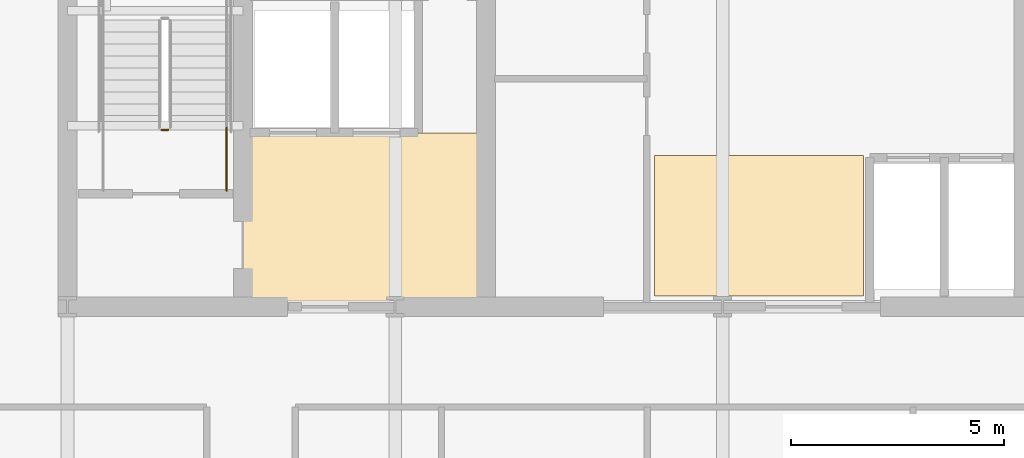
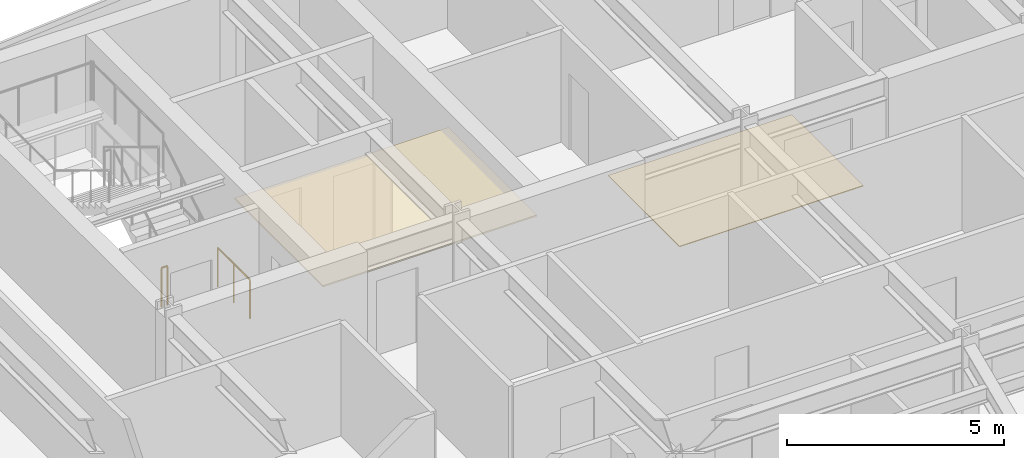
# One storey, part 29 of 33: 2 coverings, 2 railings.
"""IFC4 building model written with IfcOpenShell, lengths in metres."""

from ifc_helpers import new_model, si_unit, direction, frame, origin, origin_2d, place, context, subcontext, project, spatial, polyline, circle, outline, extrude, material, layer, layer_set, type_object, element, save


model = new_model("IFC4")

# Units and contexts
model_context = context("Model", 3, precision=1e-05, world=origin(), true_north=direction((0.0, 1.0)))
body_context = subcontext(model_context, "Body", "Model", "MODEL_VIEW")
ifc_project = project(units=[si_unit("LENGTHUNIT", "METRE"), si_unit("AREAUNIT", "SQUARE_METRE"), si_unit("VOLUMEUNIT", "CUBIC_METRE"), si_unit("PLANEANGLEUNIT", "RADIAN"), si_unit("MASSUNIT", "GRAM", prefix="KILO")], contexts=[model_context])

# Site, building, storey
site_placement = place(None, origin())
site = spatial("IfcSite", under=ifc_project, at=site_placement, CompositionType="ELEMENT")
building_placement = place(site_placement, origin())
building = spatial("IfcBuilding", under=site, at=building_placement, Name="Yelkora Congress Tower", CompositionType="ELEMENT")
storey_placement = place(building_placement, frame((0.0, 0.0, 106.699951171875)))
storey = spatial("IfcBuildingStorey", under=building, at=storey_placement, Name="L28", CompositionType="ELEMENT", Elevation=106.699951171875)

# Coverings
ifc_material_1 = material(Name="Perforated mineral-fibre acoustic ceiling", Category="gypsum")
ifc_layer_1 = layer(ifc_material_1, 0.0400390625)
ifc_layer_set_1 = layer_set([ifc_layer_1], Name="Perforated mineral-fibre acoustic ceiling")
covering_type_1 = type_object("IfcCoveringType", Name="COV-CEIL-ACOUSTIC-40", PredefinedType="CEILING", material=ifc_layer_set_1)
covering_1_placement = place(storey_placement, frame((0.0, 0.0, 2.400146484375)))
element("IfcCovering", 1, at=covering_1_placement, inside=storey, type_object=covering_type_1, Name="L28 Firefighting Lobby Acoustic Ceiling", PredefinedType="CEILING", context=body_context, shape_type="SweptSolid", body=[
    extrude(outline(polyline([(27.14990234375, 35.39990234375), (32.85009765625, 35.39990234375), (32.85009765625, 39.47998046875), (27.14990234375, 39.47998046875), (27.14990234375, 35.39990234375)])), origin(), (0.0, 0.0, 1.0), 0.039794921875),
])
ifc_material_2 = material(Name="Polished Anatolian grey granite tile", Category="masonry")
ifc_layer_2 = layer(ifc_material_2, 0.02001953125)
ifc_layer_set_2 = layer_set([ifc_layer_2], Name="Polished Anatolian grey granite tile")
covering_type_2 = type_object("IfcCoveringType", Name="COV-FLOOR-GRANITE-20", PredefinedType="FLOORING", material=ifc_layer_set_2)
covering_2_placement = place(storey_placement, origin())
element("IfcCovering", 2, at=covering_2_placement, inside=storey, type_object=covering_type_2, Name="L28 Lift Lobby Granite Flooring", PredefinedType="FLOORING", context=body_context, shape_type="SweptSolid", body=[
    extrude(outline(polyline([(36.800048828125, 35.64990234375), (41.699951171875, 35.64990234375), (41.699951171875, 38.949951171875), (36.800048828125, 38.949951171875), (36.800048828125, 35.64990234375)])), origin(), (0.0, 0.0, 1.0), 0.02001953125),
])

# Railings
ifc_material_3 = material(Name="Painted galvanised steel stair well guard with vertical infill", Category="steel")
ifc_layer_3 = layer(ifc_material_3, 0.06005859375)
ifc_layer_set_3 = layer_set([ifc_layer_3], Name="Painted galvanised steel stair well guard with vertical infill")
railing_type = type_object("IfcRailingType", Name="RAIL-STAIR-GUARD-1120", PredefinedType="GUARDRAIL", material=ifc_layer_set_3)
railing_1_placement = place(storey_placement, frame((25.39990234375, 39.550048828125, 0.0)))
element("IfcRailing", 3, at=railing_1_placement, inside=storey, type_object=railing_type, Name="ST-01 L28 Stair Well Guardrail 7", PredefinedType="GUARDRAIL", context=body_context, shape_type="SweptSolid", body=[
    extrude(circle(Radius=0.02392578125, at=origin_2d()), frame((0.0, 0.0, 1.09619140625), z_axis=(-1.0, 0.0, 0.0), x_axis=(0.0, -1.0, 0.0)), (0.0, 0.0, 1.0), 0.159912109375),
    extrude(circle(Radius=0.02099609375, at=origin_2d()), origin(), (0.0, 0.0, 1.0), 1.072021484375),
    extrude(circle(Radius=0.02099609375, at=origin_2d()), frame((-0.159912109375, 0.0, 0.0)), (0.0, 0.0, 1.0), 1.072021484375),
])
railing_2_placement = place(storey_placement, frame((26.77001953125, 38.1201171875, 0.0)))
element("IfcRailing", 4, at=railing_2_placement, inside=storey, type_object=railing_type, Name="ST-01 L28 Stair Well Guardrail 8", PredefinedType="GUARDRAIL", context=body_context, shape_type="SweptSolid", body=[
    extrude(circle(Radius=0.02392578125, at=origin_2d()), frame((0.0, 0.0, 1.09619140625), z_axis=(0.0, 1.0, 0.0), x_axis=(-1.0, 0.0, 0.0)), (0.0, 0.0, 1.0), 1.47998046875),
    extrude(circle(Radius=0.02099609375, at=origin_2d()), origin(), (0.0, 0.0, 1.0), 1.072021484375),
    extrude(circle(Radius=0.02099609375, at=origin_2d()), frame((0.0, 0.739990234375, 0.0)), (0.0, 0.0, 1.0), 1.072021484375),
    extrude(circle(Radius=0.02099609375, at=origin_2d()), frame((0.0, 1.47998046875, 0.0)), (0.0, 0.0, 1.0), 1.072021484375),
])

save(model, "model.ifc")
